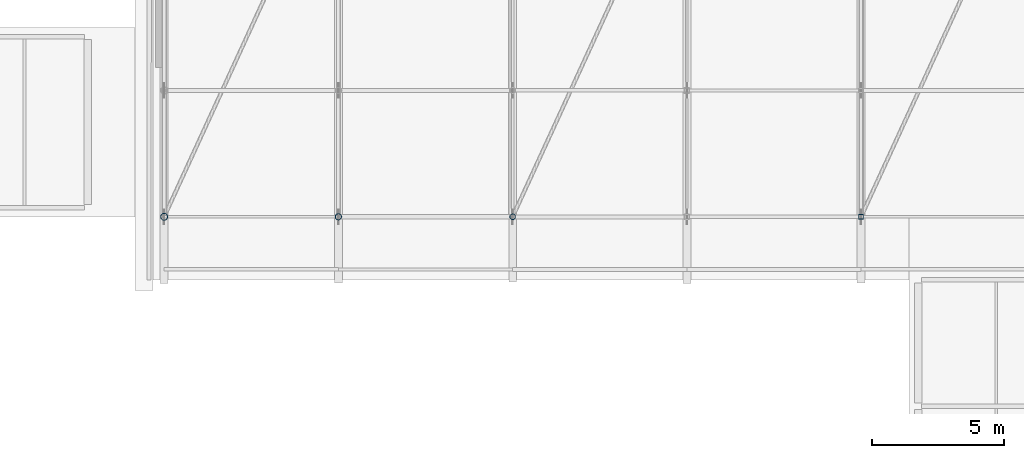
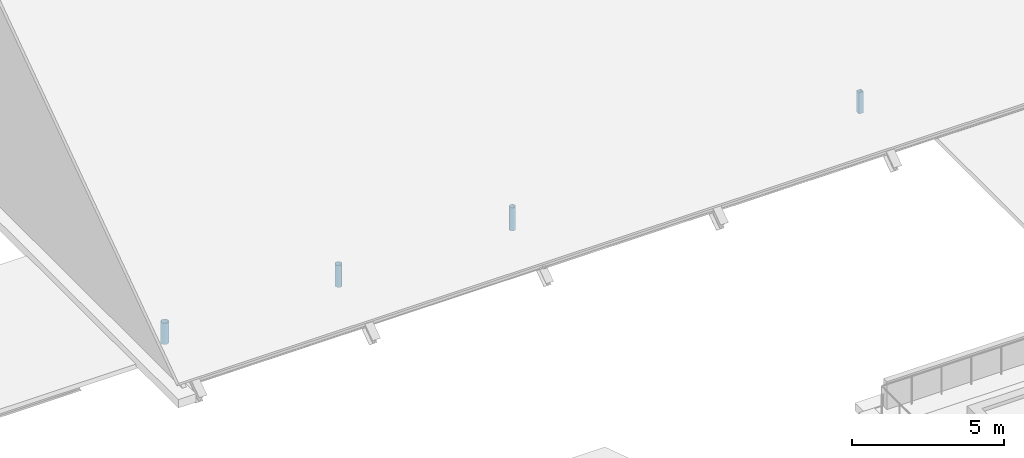
# One storey, part 83 of 134: 4 members.
"""IFC4 building model written with IfcOpenShell, lengths in metres."""

from ifc_helpers import new_model, si_unit, direction, frame, origin, origin_2d, place, context, subcontext, project, spatial, hollow_rectangle, hollow_circle, extrude, material, material_profile, profile_set, type_object, element, save


model = new_model("IFC4")

# Units and contexts
model_context = context("Model", 3, precision=1e-05, world=origin(), true_north=direction((0.0, 1.0)))
body_context = subcontext(model_context, "Body", "Model", "MODEL_VIEW")
ifc_project = project(units=[si_unit("LENGTHUNIT", "METRE"), si_unit("AREAUNIT", "SQUARE_METRE"), si_unit("VOLUMEUNIT", "CUBIC_METRE"), si_unit("PLANEANGLEUNIT", "RADIAN"), si_unit("MASSUNIT", "GRAM", prefix="KILO")], contexts=[model_context])

# Site, building, storey
site_placement = place(None, origin())
site = spatial("IfcSite", under=ifc_project, at=site_placement, CompositionType="ELEMENT")
building_placement = place(site_placement, origin())
building = spatial("IfcBuilding", under=site, at=building_placement, Name="Asteropetra Specialist Clinic", CompositionType="ELEMENT")
storey_placement = place(building_placement, frame((0.0, 0.0, 8.5)))
storey = spatial("IfcBuildingStorey", under=building, at=storey_placement, Name="L02", CompositionType="ELEMENT", Elevation=8.5)

# Members
ifc_material_1 = material(Name="Steel S355", Category="steel")
ifc_material_profile_1 = material_profile(ifc_material_1, hollow_circle(Radius=0.109619140625, WallThickness=0.010009765625, at=origin_2d()), Name="CHS 219.1x10.0")
ifc_profile_set_1 = profile_set([ifc_material_profile_1], Name="Steel S355")
member_type_1 = type_object("IfcMemberType", Name="TR-STR-CHS219", PredefinedType="STRUT", material=ifc_profile_set_1)
member_1_placement = place(storey_placement, frame((100.139892578125, 76.800048828125, 0.419921875), z_axis=(0.0, 0.0, 1.0), x_axis=(1.0, 0.0, 0.0)))
element("IfcMember", 1, at=member_1_placement, inside=storey, type_object=member_type_1, Name="Truss Web Strut TRV1-V03-0", PredefinedType="STRUT", context=body_context, shape_type="SweptSolid", body=[
    extrude(hollow_circle(Radius=0.109619140625, WallThickness=0.010009765625, at=origin_2d()), origin(), (0.0, 0.0, 1.0), 0.9267578125),
])
ifc_material_2 = material(Name="Steel S355", Category="steel")
ifc_material_profile_2 = material_profile(ifc_material_2, hollow_circle(Radius=0.122314453125, WallThickness=0.012451171875, at=origin_2d()), Name="CHS 244.5x12.5")
ifc_profile_set_2 = profile_set([ifc_material_profile_2], Name="Steel S355")
member_type_2 = type_object("IfcMemberType", Name="TR-STR-CHS244", PredefinedType="STRUT", material=ifc_profile_set_2)
member_2_placement = place(storey_placement, frame((93.52001953125, 76.800048828125, 0.469970703125), z_axis=(0.0, 0.0, 1.0), x_axis=(1.0, 0.0, 0.0)))
element("IfcMember", 2, at=member_2_placement, inside=storey, type_object=member_type_2, Name="Truss Web Strut TRV1-V02-0", PredefinedType="STRUT", context=body_context, shape_type="SweptSolid", body=[
    extrude(hollow_circle(Radius=0.122314453125, WallThickness=0.012451171875, at=origin_2d()), origin(), (0.0, 0.0, 1.0), 0.876708984375),
])
ifc_material_3 = material(Name="Steel S355", Category="steel")
ifc_material_profile_3 = material_profile(ifc_material_3, hollow_circle(Radius=0.136474609375, WallThickness=0.012451171875, at=origin_2d()), Name="CHS 273.0x12.5")
ifc_profile_set_3 = profile_set([ifc_material_profile_3], Name="Steel S355")
member_type_3 = type_object("IfcMemberType", Name="TR-STR-CHS273", PredefinedType="STRUT", material=ifc_profile_set_3)
member_3_placement = place(storey_placement, frame((86.89990234375, 76.800048828125, 0.4951171875), z_axis=(0.0, 0.0, 1.0), x_axis=(1.0, 0.0, 0.0)))
element("IfcMember", 3, at=member_3_placement, inside=storey, type_object=member_type_3, Name="Truss Web Strut TRV1-V01-0", PredefinedType="STRUT", context=body_context, shape_type="SweptSolid", body=[
    extrude(hollow_circle(Radius=0.136474609375, WallThickness=0.012451171875, at=origin_2d()), origin(), (0.0, 0.0, 1.0), 0.8515625),
])
ifc_material_4 = material(Name="Steel S355", Category="steel")
ifc_material_profile_4 = material_profile(ifc_material_4, hollow_rectangle(XDim=0.179931640625, YDim=0.179931640625, WallThickness=0.010009765625, InnerFilletRadius=0.008056640625, OuterFilletRadius=0.01611328125, at=origin_2d()), Name="SHS 180x180x10.0")
ifc_profile_set_4 = profile_set([ifc_material_profile_4], Name="Steel S355")
member_type_4 = type_object("IfcMemberType", Name="TR-STR-SHS180", PredefinedType="STRUT", material=ifc_profile_set_4)
member_4_placement = place(storey_placement, frame((113.3798828125, 76.800048828125, 0.4951171875), z_axis=(0.0, 0.0, 1.0), x_axis=(1.0, 0.0, 0.0)))
element("IfcMember", 4, at=member_4_placement, inside=storey, type_object=member_type_4, Name="Truss Web Strut TRV1-V05-0", PredefinedType="STRUT", context=body_context, shape_type="SweptSolid", body=[
    extrude(hollow_rectangle(XDim=0.179931640625, YDim=0.179931640625, WallThickness=0.010009765625, InnerFilletRadius=0.008056640625, OuterFilletRadius=0.01611328125, at=origin_2d()), origin(), (0.0, 0.0, 1.0), 0.8515625),
])

save(model, "model.ifc")
